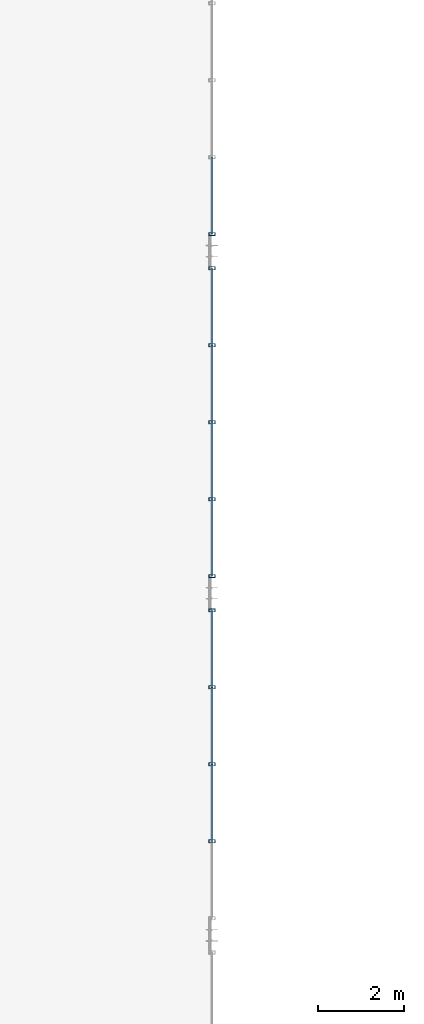
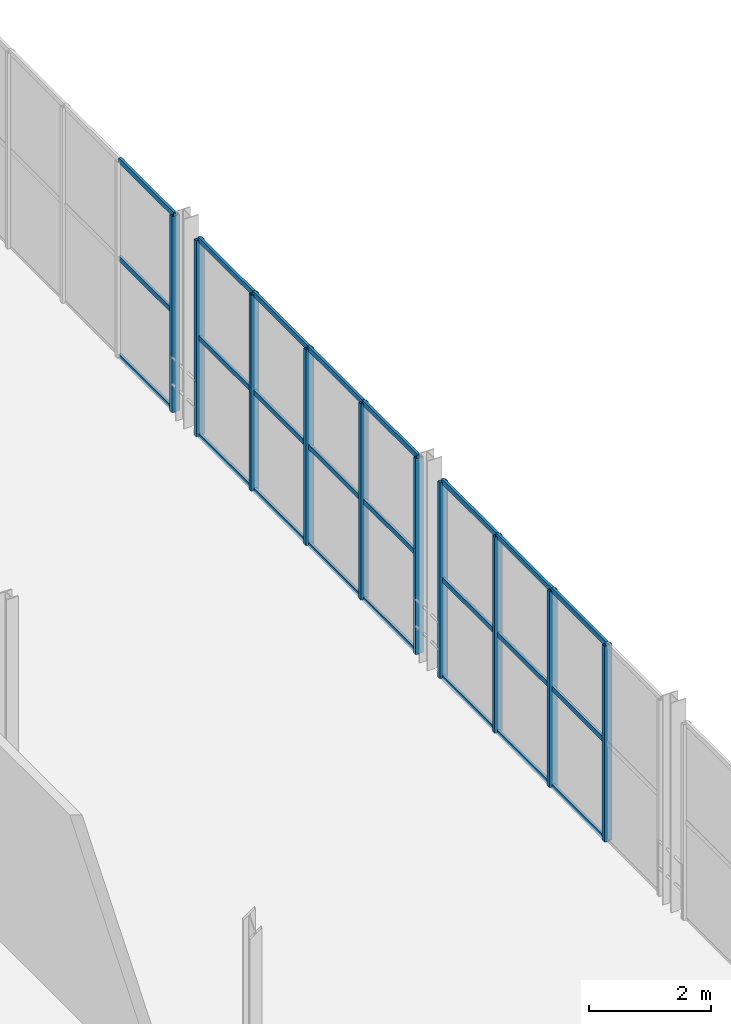
# One storey, part 36 of 122: 34 members, 3 elements without a shape of their own.
"""IFC4 building model written with IfcOpenShell, lengths in metres."""

from ifc_helpers import new_model, si_unit, direction, frame, origin, origin_2d, place, context, subcontext, project, spatial, hollow_rectangle, extrude, material, material_profile, profile_set, type_object, element, aggregate, save


model = new_model("IFC4")

# Units and contexts
model_context = context("Model", 3, precision=1e-05, world=origin(), true_north=direction((0.0, 1.0)))
body_context = subcontext(model_context, "Body", "Model", "MODEL_VIEW")
ifc_project = project(units=[si_unit("LENGTHUNIT", "METRE"), si_unit("AREAUNIT", "SQUARE_METRE"), si_unit("VOLUMEUNIT", "CUBIC_METRE"), si_unit("PLANEANGLEUNIT", "RADIAN"), si_unit("MASSUNIT", "GRAM", prefix="KILO")], contexts=[model_context])

# Site, building, storey
site_placement = place(None, origin())
site = spatial("IfcSite", under=ifc_project, at=site_placement, CompositionType="ELEMENT")
building_placement = place(site_placement, origin())
building = spatial("IfcBuilding", under=site, at=building_placement, Name="Sundkrona Museum", CompositionType="ELEMENT")
storey_placement = place(building_placement, frame((0.0, 0.0, 5.39990234375)))
storey = spatial("IfcBuildingStorey", under=building, at=storey_placement, Name="L01", CompositionType="ELEMENT", Elevation=5.39990234375)

# Curtain wall, members
ifc_material_1 = material(Name="Unitised Aluminium-Steel and Ceramic-Clad Curtain Walling", Category="steel")
curtain_wall_type = type_object("IfcCurtainWallType", Name="CW-PS-54x38", PredefinedType="NOTDEFINED", material=ifc_material_1)
curtain_wall_1_placement = place(storey_placement, origin())
curtain_wall_1 = element("IfcCurtainWall", 1, at=curtain_wall_1_placement, inside=storey, type_object=curtain_wall_type, Name="L01 Curtain Wall CW-L01-111", PredefinedType="NOTDEFINED")
ifc_material_2 = material(Name="Aluminium EN AW-6060 T66", Category="aluminium")
ifc_material_profile_1 = material_profile(ifc_material_2, hollow_rectangle(XDim=0.074951171875, YDim=0.14990234375, WallThickness=0.00634765625, at=origin_2d()), Name="RHS 150x75x6.3")
ifc_profile_set_1 = profile_set([ifc_material_profile_1], Name="Aluminium EN AW-6060 T66")
member_type_1 = type_object("IfcMemberType", Name="ML-150", PredefinedType="MULLION", material=ifc_profile_set_1)
member_1_placement = place(storey_placement, frame((96.0, 48.199951171875, -0.00390625), z_axis=(0.0, 0.0, 1.0), x_axis=(0.0, 1.0, 0.0)))
member_1 = element("IfcMember", 2, at=member_1_placement, type_object=member_type_1, Name="CW-L01-111 Mullion 02", PredefinedType="MULLION", context=body_context, shape_type="SweptSolid", body=[
    extrude(hollow_rectangle(XDim=0.074951171875, YDim=0.14990234375, WallThickness=0.00634765625, at=origin_2d()), origin(), (0.0, 0.0, 1.0), 3.927978515625),
])
member_2_placement = place(storey_placement, frame((96.0, 50.0, -0.00390625), z_axis=(0.0, 0.0, 1.0), x_axis=(0.0, 1.0, 0.0)))
member_2 = element("IfcMember", 3, at=member_2_placement, type_object=member_type_1, Name="CW-L01-111 Mullion 03", PredefinedType="MULLION", context=body_context, shape_type="SweptSolid", body=[
    extrude(hollow_rectangle(XDim=0.074951171875, YDim=0.14990234375, WallThickness=0.00634765625, at=origin_2d()), origin(), (0.0, 0.0, 1.0), 3.927978515625),
])
member_3_placement = place(storey_placement, frame((96.0, 51.800048828125, -0.00390625), z_axis=(0.0, 0.0, 1.0), x_axis=(0.0, 1.0, 0.0)))
member_3 = element("IfcMember", 4, at=member_3_placement, type_object=member_type_1, Name="CW-L01-111 Mullion 04", PredefinedType="MULLION", context=body_context, shape_type="SweptSolid", body=[
    extrude(hollow_rectangle(XDim=0.074951171875, YDim=0.14990234375, WallThickness=0.00634765625, at=origin_2d()), origin(), (0.0, 0.0, 1.0), 3.927978515625),
])
member_4_placement = place(storey_placement, frame((96.0, 53.60009765625, -0.00390625), z_axis=(0.0, 0.0, 1.0), x_axis=(0.0, 1.0, 0.0)))
member_4 = element("IfcMember", 5, at=member_4_placement, type_object=member_type_1, Name="CW-L01-111 Mullion 05", PredefinedType="MULLION", context=body_context, shape_type="SweptSolid", body=[
    extrude(hollow_rectangle(XDim=0.074951171875, YDim=0.14990234375, WallThickness=0.00634765625, at=origin_2d()), origin(), (0.0, 0.0, 1.0), 3.927978515625),
])

curtain_wall_2_placement = place(storey_placement, origin())
curtain_wall_2 = element("IfcCurtainWall", 6, at=curtain_wall_2_placement, inside=storey, type_object=curtain_wall_type, Name="L01 Curtain Wall CW-L01-113", PredefinedType="NOTDEFINED")
member_5_placement = place(storey_placement, frame((96.0, 54.39990234375, -0.00390625), z_axis=(0.0, 0.0, 1.0), x_axis=(0.0, 1.0, 0.0)))
member_5 = element("IfcMember", 7, at=member_5_placement, type_object=member_type_1, Name="CW-L01-113 Mullion 01", PredefinedType="MULLION", context=body_context, shape_type="SweptSolid", body=[
    extrude(hollow_rectangle(XDim=0.074951171875, YDim=0.14990234375, WallThickness=0.00634765625, at=origin_2d()), origin(), (0.0, 0.0, 1.0), 3.927978515625),
])
member_6_placement = place(storey_placement, frame((96.0, 56.199951171875, -0.00390625), z_axis=(0.0, 0.0, 1.0), x_axis=(0.0, 1.0, 0.0)))
member_6 = element("IfcMember", 8, at=member_6_placement, type_object=member_type_1, Name="CW-L01-113 Mullion 02", PredefinedType="MULLION", context=body_context, shape_type="SweptSolid", body=[
    extrude(hollow_rectangle(XDim=0.074951171875, YDim=0.14990234375, WallThickness=0.00634765625, at=origin_2d()), origin(), (0.0, 0.0, 1.0), 3.927978515625),
])
member_7_placement = place(storey_placement, frame((96.0, 58.0, -0.00390625), z_axis=(0.0, 0.0, 1.0), x_axis=(0.0, 1.0, 0.0)))
member_7 = element("IfcMember", 9, at=member_7_placement, type_object=member_type_1, Name="CW-L01-113 Mullion 03", PredefinedType="MULLION", context=body_context, shape_type="SweptSolid", body=[
    extrude(hollow_rectangle(XDim=0.074951171875, YDim=0.14990234375, WallThickness=0.00634765625, at=origin_2d()), origin(), (0.0, 0.0, 1.0), 3.927978515625),
])
member_8_placement = place(storey_placement, frame((96.0, 59.800048828125, -0.00390625), z_axis=(0.0, 0.0, 1.0), x_axis=(0.0, 1.0, 0.0)))
member_8 = element("IfcMember", 10, at=member_8_placement, type_object=member_type_1, Name="CW-L01-113 Mullion 04", PredefinedType="MULLION", context=body_context, shape_type="SweptSolid", body=[
    extrude(hollow_rectangle(XDim=0.074951171875, YDim=0.14990234375, WallThickness=0.00634765625, at=origin_2d()), origin(), (0.0, 0.0, 1.0), 3.927978515625),
])
member_9_placement = place(storey_placement, frame((96.0, 61.60009765625, -0.00390625), z_axis=(0.0, 0.0, 1.0), x_axis=(0.0, 1.0, 0.0)))
member_9 = element("IfcMember", 11, at=member_9_placement, type_object=member_type_1, Name="CW-L01-113 Mullion 05", PredefinedType="MULLION", context=body_context, shape_type="SweptSolid", body=[
    extrude(hollow_rectangle(XDim=0.074951171875, YDim=0.14990234375, WallThickness=0.00634765625, at=origin_2d()), origin(), (0.0, 0.0, 1.0), 3.927978515625),
])

# Curtain wall, member
curtain_wall_3_placement = place(storey_placement, origin())
curtain_wall_3 = element("IfcCurtainWall", 12, at=curtain_wall_3_placement, inside=storey, type_object=curtain_wall_type, Name="L01 Curtain Wall CW-L01-115", PredefinedType="NOTDEFINED")
member_10_placement = place(storey_placement, frame((96.0, 62.39990234375, -0.00390625), z_axis=(0.0, 0.0, 1.0), x_axis=(0.0, 1.0, 0.0)))
member_10 = element("IfcMember", 13, at=member_10_placement, type_object=member_type_1, Name="CW-L01-115 Mullion 01", PredefinedType="MULLION", context=body_context, shape_type="SweptSolid", body=[
    extrude(hollow_rectangle(XDim=0.074951171875, YDim=0.14990234375, WallThickness=0.00634765625, at=origin_2d()), origin(), (0.0, 0.0, 1.0), 3.927978515625),
])

# Member
ifc_material_profile_2 = material_profile(ifc_material_2, hollow_rectangle(XDim=0.050048828125, YDim=0.10009765625, WallThickness=0.0048828125, at=origin_2d()), Name="RHS 100x50x5.0")
ifc_profile_set_2 = profile_set([ifc_material_profile_2], Name="Aluminium EN AW-6060 T66")
member_type_2 = type_object("IfcMemberType", Name="TR-100", PredefinedType="USERDEFINED", material=ifc_profile_set_2)
member_11_placement = place(storey_placement, frame((96.0, 48.199951171875, -0.00390625), z_axis=(0.0, 1.0, 0.0), x_axis=(-1.0, 0.0, 0.0)))
member_11 = element("IfcMember", 14, at=member_11_placement, type_object=member_type_2, Name="CW-L01-111 Transom 04", ObjectType="TRANSOM", PredefinedType="USERDEFINED", context=body_context, shape_type="SweptSolid", body=[
    extrude(hollow_rectangle(XDim=0.050048828125, YDim=0.10009765625, WallThickness=0.0048828125, at=origin_2d()), origin(), (0.0, 0.0, 1.0), 1.800048828125),
])

member_12_placement = place(storey_placement, frame((96.0, 48.199951171875, 1.960205078125), z_axis=(0.0, 1.0, 0.0), x_axis=(-1.0, 0.0, 0.0)))
member_12 = element("IfcMember", 15, at=member_12_placement, type_object=member_type_2, Name="CW-L01-111 Transom 05", ObjectType="TRANSOM", PredefinedType="USERDEFINED", context=body_context, shape_type="SweptSolid", body=[
    extrude(hollow_rectangle(XDim=0.050048828125, YDim=0.10009765625, WallThickness=0.0048828125, at=origin_2d()), origin(), (0.0, 0.0, 1.0), 1.800048828125),
])

member_13_placement = place(storey_placement, frame((96.0, 48.199951171875, 3.924072265625), z_axis=(0.0, 1.0, 0.0), x_axis=(-1.0, 0.0, 0.0)))
member_13 = element("IfcMember", 16, at=member_13_placement, type_object=member_type_2, Name="CW-L01-111 Transom 06", ObjectType="TRANSOM", PredefinedType="USERDEFINED", context=body_context, shape_type="SweptSolid", body=[
    extrude(hollow_rectangle(XDim=0.050048828125, YDim=0.10009765625, WallThickness=0.0048828125, at=origin_2d()), origin(), (0.0, 0.0, 1.0), 1.800048828125),
])

member_14_placement = place(storey_placement, frame((96.0, 50.0, -0.00390625), z_axis=(0.0, 1.0, 0.0), x_axis=(-1.0, 0.0, 0.0)))
member_14 = element("IfcMember", 17, at=member_14_placement, type_object=member_type_2, Name="CW-L01-111 Transom 07", ObjectType="TRANSOM", PredefinedType="USERDEFINED", context=body_context, shape_type="SweptSolid", body=[
    extrude(hollow_rectangle(XDim=0.050048828125, YDim=0.10009765625, WallThickness=0.0048828125, at=origin_2d()), origin(), (0.0, 0.0, 1.0), 1.800048828125),
])

member_15_placement = place(storey_placement, frame((96.0, 50.0, 1.960205078125), z_axis=(0.0, 1.0, 0.0), x_axis=(-1.0, 0.0, 0.0)))
member_15 = element("IfcMember", 18, at=member_15_placement, type_object=member_type_2, Name="CW-L01-111 Transom 08", ObjectType="TRANSOM", PredefinedType="USERDEFINED", context=body_context, shape_type="SweptSolid", body=[
    extrude(hollow_rectangle(XDim=0.050048828125, YDim=0.10009765625, WallThickness=0.0048828125, at=origin_2d()), origin(), (0.0, 0.0, 1.0), 1.800048828125),
])

member_16_placement = place(storey_placement, frame((96.0, 50.0, 3.924072265625), z_axis=(0.0, 1.0, 0.0), x_axis=(-1.0, 0.0, 0.0)))
member_16 = element("IfcMember", 19, at=member_16_placement, type_object=member_type_2, Name="CW-L01-111 Transom 09", ObjectType="TRANSOM", PredefinedType="USERDEFINED", context=body_context, shape_type="SweptSolid", body=[
    extrude(hollow_rectangle(XDim=0.050048828125, YDim=0.10009765625, WallThickness=0.0048828125, at=origin_2d()), origin(), (0.0, 0.0, 1.0), 1.800048828125),
])

member_17_placement = place(storey_placement, frame((96.0, 51.800048828125, -0.00390625), z_axis=(0.0, 1.0, 0.0), x_axis=(-1.0, 0.0, 0.0)))
member_17 = element("IfcMember", 20, at=member_17_placement, type_object=member_type_2, Name="CW-L01-111 Transom 10", ObjectType="TRANSOM", PredefinedType="USERDEFINED", context=body_context, shape_type="SweptSolid", body=[
    extrude(hollow_rectangle(XDim=0.050048828125, YDim=0.10009765625, WallThickness=0.0048828125, at=origin_2d()), origin(), (0.0, 0.0, 1.0), 1.800048828125),
])

member_18_placement = place(storey_placement, frame((96.0, 51.800048828125, 1.960205078125), z_axis=(0.0, 1.0, 0.0), x_axis=(-1.0, 0.0, 0.0)))
member_18 = element("IfcMember", 21, at=member_18_placement, type_object=member_type_2, Name="CW-L01-111 Transom 11", ObjectType="TRANSOM", PredefinedType="USERDEFINED", context=body_context, shape_type="SweptSolid", body=[
    extrude(hollow_rectangle(XDim=0.050048828125, YDim=0.10009765625, WallThickness=0.0048828125, at=origin_2d()), origin(), (0.0, 0.0, 1.0), 1.800048828125),
])

member_19_placement = place(storey_placement, frame((96.0, 51.800048828125, 3.924072265625), z_axis=(0.0, 1.0, 0.0), x_axis=(-1.0, 0.0, 0.0)))
member_19 = element("IfcMember", 22, at=member_19_placement, type_object=member_type_2, Name="CW-L01-111 Transom 12", ObjectType="TRANSOM", PredefinedType="USERDEFINED", context=body_context, shape_type="SweptSolid", body=[
    extrude(hollow_rectangle(XDim=0.050048828125, YDim=0.10009765625, WallThickness=0.0048828125, at=origin_2d()), origin(), (0.0, 0.0, 1.0), 1.800048828125),
])

aggregate(curtain_wall_1, [member_1, member_2, member_3, member_4, member_11, member_12, member_13, member_14, member_15, member_16, member_17, member_18, member_19])

member_20_placement = place(storey_placement, frame((96.0, 54.39990234375, -0.00390625), z_axis=(0.0, 1.0, 0.0), x_axis=(-1.0, 0.0, 0.0)))
member_20 = element("IfcMember", 23, at=member_20_placement, type_object=member_type_2, Name="CW-L01-113 Transom 01", ObjectType="TRANSOM", PredefinedType="USERDEFINED", context=body_context, shape_type="SweptSolid", body=[
    extrude(hollow_rectangle(XDim=0.050048828125, YDim=0.10009765625, WallThickness=0.0048828125, at=origin_2d()), origin(), (0.0, 0.0, 1.0), 1.800048828125),
])

member_21_placement = place(storey_placement, frame((96.0, 54.39990234375, 1.960205078125), z_axis=(0.0, 1.0, 0.0), x_axis=(-1.0, 0.0, 0.0)))
member_21 = element("IfcMember", 24, at=member_21_placement, type_object=member_type_2, Name="CW-L01-113 Transom 02", ObjectType="TRANSOM", PredefinedType="USERDEFINED", context=body_context, shape_type="SweptSolid", body=[
    extrude(hollow_rectangle(XDim=0.050048828125, YDim=0.10009765625, WallThickness=0.0048828125, at=origin_2d()), origin(), (0.0, 0.0, 1.0), 1.800048828125),
])

member_22_placement = place(storey_placement, frame((96.0, 54.39990234375, 3.924072265625), z_axis=(0.0, 1.0, 0.0), x_axis=(-1.0, 0.0, 0.0)))
member_22 = element("IfcMember", 25, at=member_22_placement, type_object=member_type_2, Name="CW-L01-113 Transom 03", ObjectType="TRANSOM", PredefinedType="USERDEFINED", context=body_context, shape_type="SweptSolid", body=[
    extrude(hollow_rectangle(XDim=0.050048828125, YDim=0.10009765625, WallThickness=0.0048828125, at=origin_2d()), origin(), (0.0, 0.0, 1.0), 1.800048828125),
])

member_23_placement = place(storey_placement, frame((96.0, 56.199951171875, -0.00390625), z_axis=(0.0, 1.0, 0.0), x_axis=(-1.0, 0.0, 0.0)))
member_23 = element("IfcMember", 26, at=member_23_placement, type_object=member_type_2, Name="CW-L01-113 Transom 04", ObjectType="TRANSOM", PredefinedType="USERDEFINED", context=body_context, shape_type="SweptSolid", body=[
    extrude(hollow_rectangle(XDim=0.050048828125, YDim=0.10009765625, WallThickness=0.0048828125, at=origin_2d()), origin(), (0.0, 0.0, 1.0), 1.800048828125),
])

member_24_placement = place(storey_placement, frame((96.0, 56.199951171875, 1.960205078125), z_axis=(0.0, 1.0, 0.0), x_axis=(-1.0, 0.0, 0.0)))
member_24 = element("IfcMember", 27, at=member_24_placement, type_object=member_type_2, Name="CW-L01-113 Transom 05", ObjectType="TRANSOM", PredefinedType="USERDEFINED", context=body_context, shape_type="SweptSolid", body=[
    extrude(hollow_rectangle(XDim=0.050048828125, YDim=0.10009765625, WallThickness=0.0048828125, at=origin_2d()), origin(), (0.0, 0.0, 1.0), 1.800048828125),
])

member_25_placement = place(storey_placement, frame((96.0, 56.199951171875, 3.924072265625), z_axis=(0.0, 1.0, 0.0), x_axis=(-1.0, 0.0, 0.0)))
member_25 = element("IfcMember", 28, at=member_25_placement, type_object=member_type_2, Name="CW-L01-113 Transom 06", ObjectType="TRANSOM", PredefinedType="USERDEFINED", context=body_context, shape_type="SweptSolid", body=[
    extrude(hollow_rectangle(XDim=0.050048828125, YDim=0.10009765625, WallThickness=0.0048828125, at=origin_2d()), origin(), (0.0, 0.0, 1.0), 1.800048828125),
])

member_26_placement = place(storey_placement, frame((96.0, 58.0, -0.00390625), z_axis=(0.0, 1.0, 0.0), x_axis=(-1.0, 0.0, 0.0)))
member_26 = element("IfcMember", 29, at=member_26_placement, type_object=member_type_2, Name="CW-L01-113 Transom 07", ObjectType="TRANSOM", PredefinedType="USERDEFINED", context=body_context, shape_type="SweptSolid", body=[
    extrude(hollow_rectangle(XDim=0.050048828125, YDim=0.10009765625, WallThickness=0.0048828125, at=origin_2d()), origin(), (0.0, 0.0, 1.0), 1.800048828125),
])

member_27_placement = place(storey_placement, frame((96.0, 58.0, 1.960205078125), z_axis=(0.0, 1.0, 0.0), x_axis=(-1.0, 0.0, 0.0)))
member_27 = element("IfcMember", 30, at=member_27_placement, type_object=member_type_2, Name="CW-L01-113 Transom 08", ObjectType="TRANSOM", PredefinedType="USERDEFINED", context=body_context, shape_type="SweptSolid", body=[
    extrude(hollow_rectangle(XDim=0.050048828125, YDim=0.10009765625, WallThickness=0.0048828125, at=origin_2d()), origin(), (0.0, 0.0, 1.0), 1.800048828125),
])

member_28_placement = place(storey_placement, frame((96.0, 58.0, 3.924072265625), z_axis=(0.0, 1.0, 0.0), x_axis=(-1.0, 0.0, 0.0)))
member_28 = element("IfcMember", 31, at=member_28_placement, type_object=member_type_2, Name="CW-L01-113 Transom 09", ObjectType="TRANSOM", PredefinedType="USERDEFINED", context=body_context, shape_type="SweptSolid", body=[
    extrude(hollow_rectangle(XDim=0.050048828125, YDim=0.10009765625, WallThickness=0.0048828125, at=origin_2d()), origin(), (0.0, 0.0, 1.0), 1.800048828125),
])

member_29_placement = place(storey_placement, frame((96.0, 59.800048828125, -0.00390625), z_axis=(0.0, 1.0, 0.0), x_axis=(-1.0, 0.0, 0.0)))
member_29 = element("IfcMember", 32, at=member_29_placement, type_object=member_type_2, Name="CW-L01-113 Transom 10", ObjectType="TRANSOM", PredefinedType="USERDEFINED", context=body_context, shape_type="SweptSolid", body=[
    extrude(hollow_rectangle(XDim=0.050048828125, YDim=0.10009765625, WallThickness=0.0048828125, at=origin_2d()), origin(), (0.0, 0.0, 1.0), 1.800048828125),
])

member_30_placement = place(storey_placement, frame((96.0, 59.800048828125, 1.960205078125), z_axis=(0.0, 1.0, 0.0), x_axis=(-1.0, 0.0, 0.0)))
member_30 = element("IfcMember", 33, at=member_30_placement, type_object=member_type_2, Name="CW-L01-113 Transom 11", ObjectType="TRANSOM", PredefinedType="USERDEFINED", context=body_context, shape_type="SweptSolid", body=[
    extrude(hollow_rectangle(XDim=0.050048828125, YDim=0.10009765625, WallThickness=0.0048828125, at=origin_2d()), origin(), (0.0, 0.0, 1.0), 1.800048828125),
])

member_31_placement = place(storey_placement, frame((96.0, 59.800048828125, 3.924072265625), z_axis=(0.0, 1.0, 0.0), x_axis=(-1.0, 0.0, 0.0)))
member_31 = element("IfcMember", 34, at=member_31_placement, type_object=member_type_2, Name="CW-L01-113 Transom 12", ObjectType="TRANSOM", PredefinedType="USERDEFINED", context=body_context, shape_type="SweptSolid", body=[
    extrude(hollow_rectangle(XDim=0.050048828125, YDim=0.10009765625, WallThickness=0.0048828125, at=origin_2d()), origin(), (0.0, 0.0, 1.0), 1.800048828125),
])

aggregate(curtain_wall_2, [member_5, member_6, member_7, member_8, member_9, member_20, member_21, member_22, member_23, member_24, member_25, member_26, member_27, member_28, member_29, member_30, member_31])

member_32_placement = place(storey_placement, frame((96.0, 62.39990234375, -0.00390625), z_axis=(0.0, 1.0, 0.0), x_axis=(-1.0, 0.0, 0.0)))
member_32 = element("IfcMember", 35, at=member_32_placement, type_object=member_type_2, Name="CW-L01-115 Transom 01", ObjectType="TRANSOM", PredefinedType="USERDEFINED", context=body_context, shape_type="SweptSolid", body=[
    extrude(hollow_rectangle(XDim=0.050048828125, YDim=0.10009765625, WallThickness=0.0048828125, at=origin_2d()), origin(), (0.0, 0.0, 1.0), 1.800048828125),
])

member_33_placement = place(storey_placement, frame((96.0, 62.39990234375, 1.960205078125), z_axis=(0.0, 1.0, 0.0), x_axis=(-1.0, 0.0, 0.0)))
member_33 = element("IfcMember", 36, at=member_33_placement, type_object=member_type_2, Name="CW-L01-115 Transom 02", ObjectType="TRANSOM", PredefinedType="USERDEFINED", context=body_context, shape_type="SweptSolid", body=[
    extrude(hollow_rectangle(XDim=0.050048828125, YDim=0.10009765625, WallThickness=0.0048828125, at=origin_2d()), origin(), (0.0, 0.0, 1.0), 1.800048828125),
])

member_34_placement = place(storey_placement, frame((96.0, 62.39990234375, 3.924072265625), z_axis=(0.0, 1.0, 0.0), x_axis=(-1.0, 0.0, 0.0)))
member_34 = element("IfcMember", 37, at=member_34_placement, type_object=member_type_2, Name="CW-L01-115 Transom 03", ObjectType="TRANSOM", PredefinedType="USERDEFINED", context=body_context, shape_type="SweptSolid", body=[
    extrude(hollow_rectangle(XDim=0.050048828125, YDim=0.10009765625, WallThickness=0.0048828125, at=origin_2d()), origin(), (0.0, 0.0, 1.0), 1.800048828125),
])

aggregate(curtain_wall_3, [member_10, member_32, member_33, member_34])

save(model, "model.ifc")
